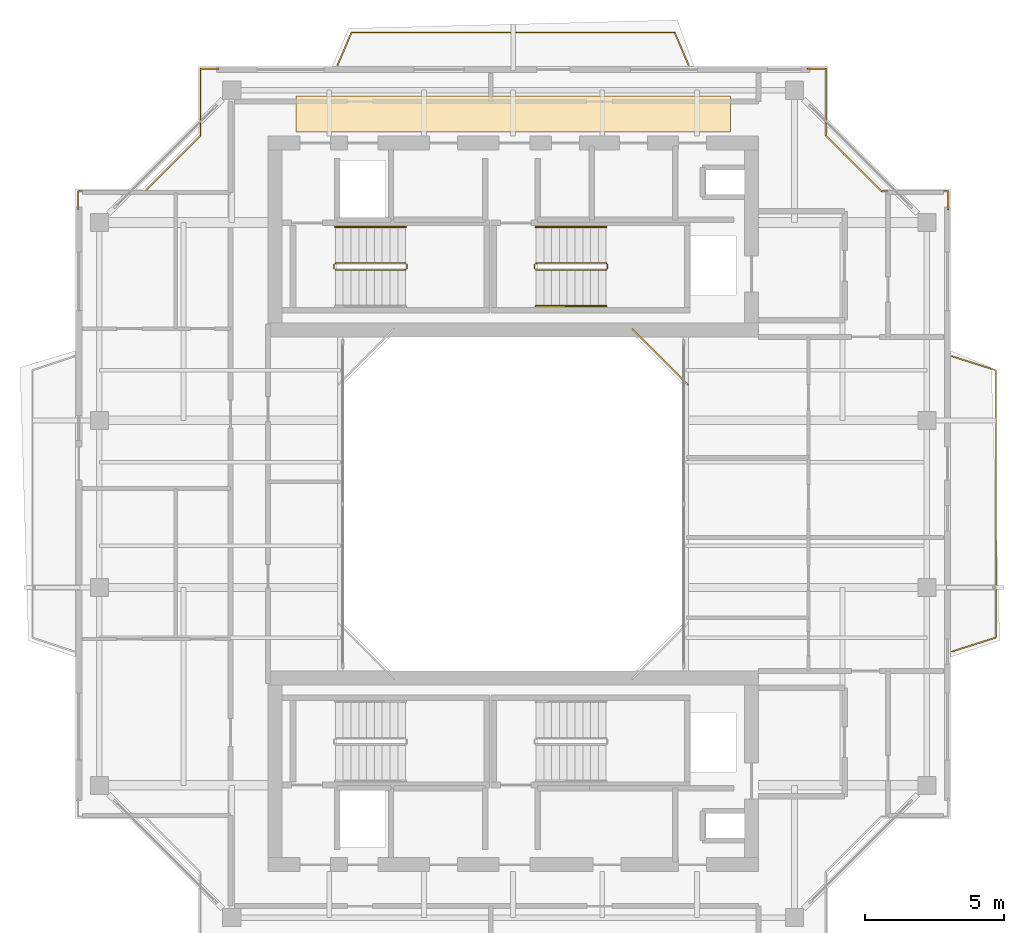
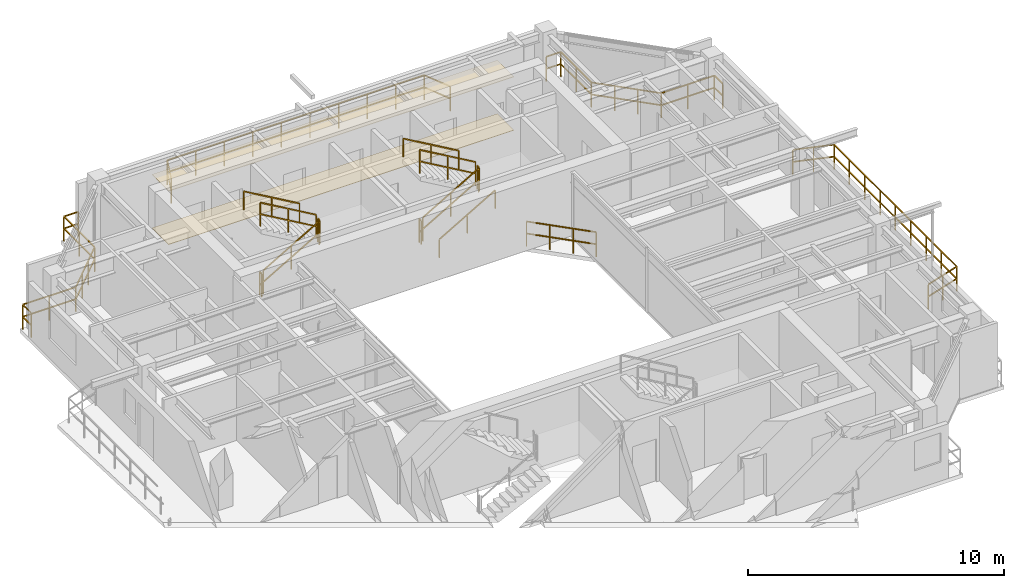
# One storey, part 14 of 14: 16 railings, 2 coverings.
"""IFC4 building model written with IfcOpenShell, lengths in metres."""

from ifc_helpers import new_model, si_unit, direction, frame, origin, origin_2d, place, context, subcontext, project, spatial, polyline, rectangle, outline, extrude, material, layer, layer_set, type_object, element, save


model = new_model("IFC4")

# Units and contexts
model_context = context("Model", 3, precision=1e-05, world=origin(), true_north=direction((0.0, 1.0)))
body_context = subcontext(model_context, "Body", "Model", "MODEL_VIEW")
ifc_project = project(units=[si_unit("LENGTHUNIT", "METRE"), si_unit("AREAUNIT", "SQUARE_METRE"), si_unit("VOLUMEUNIT", "CUBIC_METRE"), si_unit("PLANEANGLEUNIT", "RADIAN"), si_unit("MASSUNIT", "GRAM", prefix="KILO"), si_unit("THERMODYNAMICTEMPERATUREUNIT", "KELVIN"), si_unit("POWERUNIT", "WATT")], contexts=[model_context])

# Site, building, storey
site_placement = place(None, origin())
site = spatial("IfcSite", under=ifc_project, at=site_placement, CompositionType="ELEMENT")
building_placement = place(site_placement, origin())
building = spatial("IfcBuilding", under=site, at=building_placement, Name="Qiaomeng Ring Towers", CompositionType="ELEMENT")
storey_placement = place(building_placement, frame((0.0, 0.0, 247.0)))
storey = spatial("IfcBuildingStorey", under=building, at=storey_placement, Name="L72", CompositionType="ELEMENT", Elevation=247.0)

# Coverings
ifc_material_1 = material(Name="Mineral fibre acoustic ceiling tile", Category="gypsum")
ifc_layer_1 = layer(ifc_material_1, 0.02490234375, Name="Mineral fibre acoustic ceiling tile")
ifc_layer_set_1 = layer_set([ifc_layer_1], Name="Mineral fibre acoustic ceiling tile")
covering_type_1 = type_object("IfcCoveringType", Name="ARC-COV-CEIL1", PredefinedType="CEILING", material=ifc_layer_set_1)
covering_1_placement = place(storey_placement, frame((0.0, 0.0, 2.550048828125)))
element("IfcCovering", 1, at=covering_1_placement, inside=storey, type_object=covering_type_1, Name="L72 Corridor Acoustic Ceiling", PredefinedType="CEILING", context=body_context, shape_type="SweptSolid", body=[
    extrude(outline(polyline([(11.199951171875, 36.35009765625), (11.199951171875, 37.64990234375), (26.800048828125, 37.64990234375), (26.800048828125, 36.35009765625), (11.199951171875, 36.35009765625)])), origin(), (0.0, 0.0, 1.0), 0.02490234375),
])
ifc_material_2 = material(Name="Vitrified porcelain floor tile", Category="ceramic")
ifc_layer_2 = layer(ifc_material_2, 0.02001953125, Name="Vitrified porcelain floor tile")
ifc_layer_set_2 = layer_set([ifc_layer_2], Name="Vitrified porcelain floor tile")
covering_type_2 = type_object("IfcCoveringType", Name="ARC-COV-FLR1", PredefinedType="FLOORING", material=ifc_layer_set_2)
covering_2_placement = place(storey_placement, origin())
element("IfcCovering", 2, at=covering_2_placement, inside=storey, type_object=covering_type_2, Name="L72 Corridor Stone Flooring", PredefinedType="FLOORING", context=body_context, shape_type="SweptSolid", body=[
    extrude(outline(polyline([(11.199951171875, 36.35009765625), (11.199951171875, 37.64990234375), (26.800048828125, 37.64990234375), (26.800048828125, 36.35009765625), (11.199951171875, 36.35009765625)])), origin(), (0.0, 0.0, 1.0), 0.02001953125),
])

# Railings
ifc_material_3 = material(Name="Low-E pale-green laminated safety glass", Category="glass")
railing_type_1 = type_object("IfcRailingType", Name="ARC-RL-BAL1", PredefinedType="BALUSTRADE", material=ifc_material_3)
railing_1_placement = place(storey_placement, frame((25.280029296875, 27.280029296875, 0.0)))
element("IfcRailing", 3, at=railing_1_placement, inside=storey, type_object=railing_type_1, Name="L72 Balustrade ARC-BAL-WELL1-L72-2", PredefinedType="BALUSTRADE", context=body_context, shape_type="SweptSolid", body=[
    extrude(rectangle(XDim=0.048095703125, YDim=0.048095703125, at=origin_2d()), frame((0.0, 0.0, 1.17578125), z_axis=(-0.707106781187, 0.707106781187, 0.0), x_axis=(-0.707106781187, -0.707106781187, 0.0)), (0.0, 0.0, 1.0), 2.828369140625),
    extrude(rectangle(XDim=0.048095703125, YDim=0.048095703125, at=origin_2d()), frame((0.0, 0.0, 0.60009765625), z_axis=(-0.707106781187, 0.707106781187, 0.0), x_axis=(-0.707106781187, -0.707106781187, 0.0)), (0.0, 0.0, 1.0), 2.828369140625),
    extrude(rectangle(XDim=0.0419921875, YDim=0.0419921875, at=origin_2d()), origin(), (0.0, 0.0, 1.0), 1.15185546875),
    extrude(rectangle(XDim=0.0419921875, YDim=0.0419921875, at=origin_2d()), frame((-0.666748046875, 0.666748046875, 0.0)), (0.0, 0.0, 1.0), 1.15185546875),
    extrude(rectangle(XDim=0.0419921875, YDim=0.0419921875, at=origin_2d()), frame((-1.333251953125, 1.333251953125, 0.0)), (0.0, 0.0, 1.0), 1.15185546875),
    extrude(rectangle(XDim=0.0419921875, YDim=0.0419921875, at=origin_2d()), frame((-2.0, 2.0, 0.0)), (0.0, 0.0, 1.0), 1.15185546875),
])
railing_2_placement = place(storey_placement, frame((34.6201171875, 33.570068359375, 0.0)))
element("IfcRailing", 4, at=railing_2_placement, inside=storey, type_object=railing_type_1, Name="L72 Balustrade ARC-BAL-NOTCH1-L72-NE", PredefinedType="BALUSTRADE", context=body_context, shape_type="SweptSolid", body=[
    extrude(rectangle(XDim=0.048095703125, YDim=0.048095703125, at=origin_2d()), frame((0.0, 0.0, 1.17578125), z_axis=(0.0, 1.0, 0.0), x_axis=(-1.0, 0.0, 0.0)), (0.0, 0.0, 1.0), 0.64990234375),
    extrude(rectangle(XDim=0.048095703125, YDim=0.048095703125, at=origin_2d()), frame((0.0, 0.0, 0.60009765625), z_axis=(0.0, 1.0, 0.0), x_axis=(-1.0, 0.0, 0.0)), (0.0, 0.0, 1.0), 0.64990234375),
    extrude(rectangle(XDim=0.048095703125, YDim=0.048095703125, at=origin_2d()), frame((0.0, 0.64990234375, 1.17578125), z_axis=(-1.0, 0.0, 0.0), x_axis=(0.0, -1.0, 0.0)), (0.0, 0.0, 1.0), 2.400146484375),
    extrude(rectangle(XDim=0.048095703125, YDim=0.048095703125, at=origin_2d()), frame((0.0, 0.64990234375, 0.60009765625), z_axis=(-1.0, 0.0, 0.0), x_axis=(0.0, -1.0, 0.0)), (0.0, 0.0, 1.0), 2.400146484375),
    extrude(rectangle(XDim=0.048095703125, YDim=0.048095703125, at=origin_2d()), frame((-2.400146484375, 0.64990234375, 1.17578125), z_axis=(-0.707106781187, 0.707106781187, 0.0), x_axis=(-0.707106781187, -0.707106781187, 0.0)), (0.0, 0.0, 1.0), 2.828369140625),
    extrude(rectangle(XDim=0.048095703125, YDim=0.048095703125, at=origin_2d()), frame((-2.400146484375, 0.64990234375, 0.60009765625), z_axis=(-0.707106781187, 0.707106781187, 0.0), x_axis=(-0.707106781187, -0.707106781187, 0.0)), (0.0, 0.0, 1.0), 2.828369140625),
    extrude(rectangle(XDim=0.048095703125, YDim=0.048095703125, at=origin_2d()), frame((-4.400146484375, 2.64990234375, 1.17578125), z_axis=(0.0, 1.0, 0.0), x_axis=(-1.0, 0.0, 0.0)), (0.0, 0.0, 1.0), 2.400146484375),
    extrude(rectangle(XDim=0.048095703125, YDim=0.048095703125, at=origin_2d()), frame((-4.400146484375, 2.64990234375, 0.60009765625), z_axis=(0.0, 1.0, 0.0), x_axis=(-1.0, 0.0, 0.0)), (0.0, 0.0, 1.0), 2.400146484375),
    extrude(rectangle(XDim=0.048095703125, YDim=0.048095703125, at=origin_2d()), frame((-4.400146484375, 5.050048828125, 1.17578125), z_axis=(-1.0, 0.0, 0.0), x_axis=(0.0, -1.0, 0.0)), (0.0, 0.0, 1.0), 0.64990234375),
    extrude(rectangle(XDim=0.048095703125, YDim=0.048095703125, at=origin_2d()), frame((-4.400146484375, 5.050048828125, 0.60009765625), z_axis=(-1.0, 0.0, 0.0), x_axis=(0.0, -1.0, 0.0)), (0.0, 0.0, 1.0), 0.64990234375),
    extrude(rectangle(XDim=0.0419921875, YDim=0.0419921875, at=origin_2d()), origin(), (0.0, 0.0, 1.0), 1.15185546875),
    extrude(rectangle(XDim=0.0419921875, YDim=0.0419921875, at=origin_2d()), frame((0.0, 0.64990234375, 0.0)), (0.0, 0.0, 1.0), 1.15185546875),
    extrude(rectangle(XDim=0.0419921875, YDim=0.0419921875, at=origin_2d()), frame((-1.2001953125, 0.64990234375, 0.0)), (0.0, 0.0, 1.0), 1.15185546875),
    extrude(rectangle(XDim=0.0419921875, YDim=0.0419921875, at=origin_2d()), frame((-2.400146484375, 0.64990234375, 0.0)), (0.0, 0.0, 1.0), 1.15185546875),
    extrude(rectangle(XDim=0.0419921875, YDim=0.0419921875, at=origin_2d()), frame((-3.06689453125, 1.316650390625, 0.0)), (0.0, 0.0, 1.0), 1.15185546875),
    extrude(rectangle(XDim=0.0419921875, YDim=0.0419921875, at=origin_2d()), frame((-3.7333984375, 1.983154296875, 0.0)), (0.0, 0.0, 1.0), 1.15185546875),
    extrude(rectangle(XDim=0.0419921875, YDim=0.0419921875, at=origin_2d()), frame((-4.400146484375, 2.64990234375, 0.0)), (0.0, 0.0, 1.0), 1.15185546875),
    extrude(rectangle(XDim=0.0419921875, YDim=0.0419921875, at=origin_2d()), frame((-4.400146484375, 3.85009765625, 0.0)), (0.0, 0.0, 1.0), 1.15185546875),
    extrude(rectangle(XDim=0.0419921875, YDim=0.0419921875, at=origin_2d()), frame((-4.400146484375, 5.050048828125, 0.0)), (0.0, 0.0, 1.0), 1.15185546875),
    extrude(rectangle(XDim=0.0419921875, YDim=0.0419921875, at=origin_2d()), frame((-5.050048828125, 5.050048828125, 0.0)), (0.0, 0.0, 1.0), 1.15185546875),
])
railing_3_placement = place(storey_placement, frame((8.429931640625, 38.6201171875, 0.0)))
element("IfcRailing", 5, at=railing_3_placement, inside=storey, type_object=railing_type_1, Name="L72 Balustrade ARC-BAL-NOTCH1-L72-NW", PredefinedType="BALUSTRADE", context=body_context, shape_type="SweptSolid", body=[
    extrude(rectangle(XDim=0.048095703125, YDim=0.048095703125, at=origin_2d()), frame((0.0, 0.0, 1.17578125), z_axis=(-1.0, 0.0, 0.0), x_axis=(0.0, -1.0, 0.0)), (0.0, 0.0, 1.0), 0.64990234375),
    extrude(rectangle(XDim=0.048095703125, YDim=0.048095703125, at=origin_2d()), frame((0.0, 0.0, 0.60009765625), z_axis=(-1.0, 0.0, 0.0), x_axis=(0.0, -1.0, 0.0)), (0.0, 0.0, 1.0), 0.64990234375),
    extrude(rectangle(XDim=0.048095703125, YDim=0.048095703125, at=origin_2d()), frame((-0.64990234375, 0.0, 1.17578125), z_axis=(0.0, -1.0, 0.0), x_axis=(1.0, 0.0, 0.0)), (0.0, 0.0, 1.0), 2.400146484375),
    extrude(rectangle(XDim=0.048095703125, YDim=0.048095703125, at=origin_2d()), frame((-0.64990234375, 0.0, 0.60009765625), z_axis=(0.0, -1.0, 0.0), x_axis=(1.0, 0.0, 0.0)), (0.0, 0.0, 1.0), 2.400146484375),
    extrude(rectangle(XDim=0.048095703125, YDim=0.048095703125, at=origin_2d()), frame((-0.64990234375, -2.400146484375, 1.17578125), z_axis=(-0.707106781187, -0.707106781187, 0.0), x_axis=(0.707106781187, -0.707106781187, 0.0)), (0.0, 0.0, 1.0), 2.828369140625),
    extrude(rectangle(XDim=0.048095703125, YDim=0.048095703125, at=origin_2d()), frame((-0.64990234375, -2.400146484375, 0.60009765625), z_axis=(-0.707106781187, -0.707106781187, 0.0), x_axis=(0.707106781187, -0.707106781187, 0.0)), (0.0, 0.0, 1.0), 2.828369140625),
    extrude(rectangle(XDim=0.048095703125, YDim=0.048095703125, at=origin_2d()), frame((-2.64990234375, -4.400146484375, 1.17578125), z_axis=(-1.0, 0.0, 0.0), x_axis=(0.0, -1.0, 0.0)), (0.0, 0.0, 1.0), 2.400146484375),
    extrude(rectangle(XDim=0.048095703125, YDim=0.048095703125, at=origin_2d()), frame((-2.64990234375, -4.400146484375, 0.60009765625), z_axis=(-1.0, 0.0, 0.0), x_axis=(0.0, -1.0, 0.0)), (0.0, 0.0, 1.0), 2.400146484375),
    extrude(rectangle(XDim=0.048095703125, YDim=0.048095703125, at=origin_2d()), frame((-5.050048828125, -4.400146484375, 1.17578125), z_axis=(0.0, -1.0, 0.0), x_axis=(1.0, 0.0, 0.0)), (0.0, 0.0, 1.0), 0.64990234375),
    extrude(rectangle(XDim=0.048095703125, YDim=0.048095703125, at=origin_2d()), frame((-5.050048828125, -4.400146484375, 0.60009765625), z_axis=(0.0, -1.0, 0.0), x_axis=(1.0, 0.0, 0.0)), (0.0, 0.0, 1.0), 0.64990234375),
    extrude(rectangle(XDim=0.0419921875, YDim=0.0419921875, at=origin_2d()), origin(), (0.0, 0.0, 1.0), 1.15185546875),
    extrude(rectangle(XDim=0.0419921875, YDim=0.0419921875, at=origin_2d()), frame((-0.64990234375, 0.0, 0.0)), (0.0, 0.0, 1.0), 1.15185546875),
    extrude(rectangle(XDim=0.0419921875, YDim=0.0419921875, at=origin_2d()), frame((-0.64990234375, -1.2001953125, 0.0)), (0.0, 0.0, 1.0), 1.15185546875),
    extrude(rectangle(XDim=0.0419921875, YDim=0.0419921875, at=origin_2d()), frame((-0.64990234375, -2.400146484375, 0.0)), (0.0, 0.0, 1.0), 1.15185546875),
    extrude(rectangle(XDim=0.0419921875, YDim=0.0419921875, at=origin_2d()), frame((-1.316650390625, -3.06689453125, 0.0)), (0.0, 0.0, 1.0), 1.15185546875),
    extrude(rectangle(XDim=0.0419921875, YDim=0.0419921875, at=origin_2d()), frame((-1.983154296875, -3.7333984375, 0.0)), (0.0, 0.0, 1.0), 1.15185546875),
    extrude(rectangle(XDim=0.0419921875, YDim=0.0419921875, at=origin_2d()), frame((-2.64990234375, -4.400146484375, 0.0)), (0.0, 0.0, 1.0), 1.15185546875),
    extrude(rectangle(XDim=0.0419921875, YDim=0.0419921875, at=origin_2d()), frame((-3.85009765625, -4.400146484375, 0.0)), (0.0, 0.0, 1.0), 1.15185546875),
    extrude(rectangle(XDim=0.0419921875, YDim=0.0419921875, at=origin_2d()), frame((-5.050048828125, -4.400146484375, 0.0)), (0.0, 0.0, 1.0), 1.15185546875),
    extrude(rectangle(XDim=0.0419921875, YDim=0.0419921875, at=origin_2d()), frame((-5.050048828125, -5.050048828125, 0.0)), (0.0, 0.0, 1.0), 1.15185546875),
])
railing_4_placement = place(storey_placement, frame((34.75, 17.699951171875, 0.0)))
element("IfcRailing", 6, at=railing_4_placement, inside=storey, type_object=railing_type_1, Name="L72 Balustrade ARC-BAL-L72-T1-E", PredefinedType="BALUSTRADE", context=body_context, shape_type="SweptSolid", body=[
    extrude(rectangle(XDim=0.048095703125, YDim=0.048095703125, at=origin_2d()), frame((0.0, 0.0, 1.17578125), z_axis=(0.952849860715, 0.303442157479, 0.0), x_axis=(-0.303442157479, 0.952849860715, 0.0)), (0.0, 0.0, 1.0), 1.647705078125),
    extrude(rectangle(XDim=0.048095703125, YDim=0.048095703125, at=origin_2d()), frame((0.0, 0.0, 0.60009765625), z_axis=(0.952849860715, 0.303442157479, 0.0), x_axis=(-0.303442157479, 0.952849860715, 0.0)), (0.0, 0.0, 1.0), 1.647705078125),
    extrude(rectangle(XDim=0.048095703125, YDim=0.048095703125, at=origin_2d()), frame((1.570068359375, 0.5, 1.17578125), z_axis=(0.0, 1.0, 0.0), x_axis=(-1.0, 0.0, 0.0)), (0.0, 0.0, 1.0), 9.60009765625),
    extrude(rectangle(XDim=0.048095703125, YDim=0.048095703125, at=origin_2d()), frame((1.570068359375, 0.5, 0.60009765625), z_axis=(0.0, 1.0, 0.0), x_axis=(-1.0, 0.0, 0.0)), (0.0, 0.0, 1.0), 9.60009765625),
    extrude(rectangle(XDim=0.048095703125, YDim=0.048095703125, at=origin_2d()), frame((1.570068359375, 10.10009765625, 1.17578125), z_axis=(-0.952849860715, 0.303442157479, 0.0), x_axis=(-0.303442157479, -0.952849860715, 0.0)), (0.0, 0.0, 1.0), 1.647705078125),
    extrude(rectangle(XDim=0.048095703125, YDim=0.048095703125, at=origin_2d()), frame((1.570068359375, 10.10009765625, 0.60009765625), z_axis=(-0.952849860715, 0.303442157479, 0.0), x_axis=(-0.303442157479, -0.952849860715, 0.0)), (0.0, 0.0, 1.0), 1.647705078125),
    extrude(rectangle(XDim=0.0419921875, YDim=0.0419921875, at=origin_2d()), origin(), (0.0, 0.0, 1.0), 1.15185546875),
    extrude(rectangle(XDim=0.0419921875, YDim=0.0419921875, at=origin_2d()), frame((0.78515625, 0.25, 0.0)), (0.0, 0.0, 1.0), 1.15185546875),
    extrude(rectangle(XDim=0.0419921875, YDim=0.0419921875, at=origin_2d()), frame((1.570068359375, 0.5, 0.0)), (0.0, 0.0, 1.0), 1.15185546875),
    extrude(rectangle(XDim=0.0419921875, YDim=0.0419921875, at=origin_2d()), frame((1.570068359375, 1.699951171875, 0.0)), (0.0, 0.0, 1.0), 1.15185546875),
    extrude(rectangle(XDim=0.0419921875, YDim=0.0419921875, at=origin_2d()), frame((1.570068359375, 2.89990234375, 0.0)), (0.0, 0.0, 1.0), 1.15185546875),
    extrude(rectangle(XDim=0.0419921875, YDim=0.0419921875, at=origin_2d()), frame((1.570068359375, 4.10009765625, 0.0)), (0.0, 0.0, 1.0), 1.15185546875),
    extrude(rectangle(XDim=0.0419921875, YDim=0.0419921875, at=origin_2d()), frame((1.570068359375, 5.300048828125, 0.0)), (0.0, 0.0, 1.0), 1.15185546875),
    extrude(rectangle(XDim=0.0419921875, YDim=0.0419921875, at=origin_2d()), frame((1.570068359375, 6.5, 0.0)), (0.0, 0.0, 1.0), 1.15185546875),
    extrude(rectangle(XDim=0.0419921875, YDim=0.0419921875, at=origin_2d()), frame((1.570068359375, 7.7001953125, 0.0)), (0.0, 0.0, 1.0), 1.15185546875),
    extrude(rectangle(XDim=0.0419921875, YDim=0.0419921875, at=origin_2d()), frame((1.570068359375, 8.900146484375, 0.0)), (0.0, 0.0, 1.0), 1.15185546875),
    extrude(rectangle(XDim=0.0419921875, YDim=0.0419921875, at=origin_2d()), frame((1.570068359375, 10.10009765625, 0.0)), (0.0, 0.0, 1.0), 1.15185546875),
    extrude(rectangle(XDim=0.0419921875, YDim=0.0419921875, at=origin_2d()), frame((0.78515625, 10.35009765625, 0.0)), (0.0, 0.0, 1.0), 1.15185546875),
    extrude(rectangle(XDim=0.0419921875, YDim=0.0419921875, at=origin_2d()), frame((0.0, 10.60009765625, 0.0)), (0.0, 0.0, 1.0), 1.15185546875),
])
railing_5_placement = place(storey_placement, frame((12.699951171875, 38.75, 0.0)))
element("IfcRailing", 7, at=railing_5_placement, inside=storey, type_object=railing_type_1, Name="L72 Balustrade ARC-BAL-L72-T1-N", PredefinedType="BALUSTRADE", context=body_context, shape_type="SweptSolid", body=[
    extrude(rectangle(XDim=0.048095703125, YDim=0.048095703125, at=origin_2d()), frame((0.0, 0.0, 1.17578125), z_axis=(0.39299272826, 0.919541579014, 0.0), x_axis=(-0.919541579014, 0.39299272826, 0.0)), (0.0, 0.0, 1.0), 1.272216796875),
    extrude(rectangle(XDim=0.048095703125, YDim=0.048095703125, at=origin_2d()), frame((0.0, 0.0, 0.60009765625), z_axis=(0.39299272826, 0.919541579014, 0.0), x_axis=(-0.919541579014, 0.39299272826, 0.0)), (0.0, 0.0, 1.0), 1.272216796875),
    extrude(rectangle(XDim=0.048095703125, YDim=0.048095703125, at=origin_2d()), frame((0.5, 1.169921875, 1.17578125), z_axis=(1.0, 0.0, 0.0), x_axis=(0.0, 1.0, 0.0)), (0.0, 0.0, 1.0), 11.60009765625),
    extrude(rectangle(XDim=0.048095703125, YDim=0.048095703125, at=origin_2d()), frame((0.5, 1.169921875, 0.60009765625), z_axis=(1.0, 0.0, 0.0), x_axis=(0.0, 1.0, 0.0)), (0.0, 0.0, 1.0), 11.60009765625),
    extrude(rectangle(XDim=0.048095703125, YDim=0.048095703125, at=origin_2d()), frame((12.10009765625, 1.169921875, 1.17578125), z_axis=(0.39299272826, -0.919541579014, 0.0), x_axis=(0.919541579014, 0.39299272826, 0.0)), (0.0, 0.0, 1.0), 1.272216796875),
    extrude(rectangle(XDim=0.048095703125, YDim=0.048095703125, at=origin_2d()), frame((12.10009765625, 1.169921875, 0.60009765625), z_axis=(0.39299272826, -0.919541579014, 0.0), x_axis=(0.919541579014, 0.39299272826, 0.0)), (0.0, 0.0, 1.0), 1.272216796875),
    extrude(rectangle(XDim=0.0419921875, YDim=0.0419921875, at=origin_2d()), origin(), (0.0, 0.0, 1.0), 1.15185546875),
    extrude(rectangle(XDim=0.0419921875, YDim=0.0419921875, at=origin_2d()), frame((0.5, 1.169921875, 0.0)), (0.0, 0.0, 1.0), 1.15185546875),
    extrude(rectangle(XDim=0.0419921875, YDim=0.0419921875, at=origin_2d()), frame((1.788818359375, 1.169921875, 0.0)), (0.0, 0.0, 1.0), 1.15185546875),
    extrude(rectangle(XDim=0.0419921875, YDim=0.0419921875, at=origin_2d()), frame((3.077880859375, 1.169921875, 0.0)), (0.0, 0.0, 1.0), 1.15185546875),
    extrude(rectangle(XDim=0.0419921875, YDim=0.0419921875, at=origin_2d()), frame((4.36669921875, 1.169921875, 0.0)), (0.0, 0.0, 1.0), 1.15185546875),
    extrude(rectangle(XDim=0.0419921875, YDim=0.0419921875, at=origin_2d()), frame((5.655517578125, 1.169921875, 0.0)), (0.0, 0.0, 1.0), 1.15185546875),
    extrude(rectangle(XDim=0.0419921875, YDim=0.0419921875, at=origin_2d()), frame((6.944580078125, 1.169921875, 0.0)), (0.0, 0.0, 1.0), 1.15185546875),
    extrude(rectangle(XDim=0.0419921875, YDim=0.0419921875, at=origin_2d()), frame((8.2333984375, 1.169921875, 0.0)), (0.0, 0.0, 1.0), 1.15185546875),
    extrude(rectangle(XDim=0.0419921875, YDim=0.0419921875, at=origin_2d()), frame((9.522216796875, 1.169921875, 0.0)), (0.0, 0.0, 1.0), 1.15185546875),
    extrude(rectangle(XDim=0.0419921875, YDim=0.0419921875, at=origin_2d()), frame((10.811279296875, 1.169921875, 0.0)), (0.0, 0.0, 1.0), 1.15185546875),
    extrude(rectangle(XDim=0.0419921875, YDim=0.0419921875, at=origin_2d()), frame((12.10009765625, 1.169921875, 0.0)), (0.0, 0.0, 1.0), 1.15185546875),
    extrude(rectangle(XDim=0.0419921875, YDim=0.0419921875, at=origin_2d()), frame((12.60009765625, 0.0, 0.0)), (0.0, 0.0, 1.0), 1.15185546875),
])
ifc_material_4 = material(Name="Galvanised steel", Category="steel")
railing_type_2 = type_object("IfcRailingType", Name="ARC-RL-GUARD", PredefinedType="GUARDRAIL", material=ifc_material_4)
railing_6_placement = place(storey_placement, frame((12.6201171875, 31.39990234375, 0.16259765625)))
element("IfcRailing", 8, at=railing_6_placement, inside=storey, type_object=railing_type_2, Name="L72 ST1 stair guard 1", PredefinedType="GUARDRAIL", context=body_context, shape_type="SweptSolid", body=[
    extrude(rectangle(XDim=0.048095703125, YDim=0.048095703125, at=origin_2d()), frame((0.0, 0.0, 1.1259765625), z_axis=(0.864892226395, 0.0, 0.501957604506), x_axis=(0.0, 1.0, 0.0)), (0.0, 0.0, 1.0), 2.913330078125),
    extrude(rectangle(XDim=0.048095703125, YDim=0.048095703125, at=origin_2d()), frame((0.0, 0.0, 0.574951171875), z_axis=(0.864892226395, 0.0, 0.501957604506), x_axis=(0.0, 1.0, 0.0)), (0.0, 0.0, 1.0), 2.913330078125),
    extrude(rectangle(XDim=0.0419921875, YDim=0.0419921875, at=origin_2d()), origin(), (0.0, 0.0, 1.0), 1.101806640625),
    extrude(rectangle(XDim=0.0419921875, YDim=0.0419921875, at=origin_2d()), frame((1.259765625, 0.0, 0.731201171875)), (0.0, 0.0, 1.0), 1.101806640625),
    extrude(rectangle(XDim=0.0419921875, YDim=0.0419921875, at=origin_2d()), frame((2.519775390625, 0.0, 1.46240234375)), (0.0, 0.0, 1.0), 1.101806640625),
])
railing_7_placement = place(storey_placement, frame((15.18994140625, 31.449951171875, 1.625)))
element("IfcRailing", 9, at=railing_7_placement, inside=storey, type_object=railing_type_2, Name="L72 ST1 stair guard 2", PredefinedType="GUARDRAIL", context=body_context, shape_type="SweptSolid", body=[
    extrude(rectangle(XDim=0.048095703125, YDim=0.048095703125, at=origin_2d()), frame((0.0, 0.0, 1.1259765625), z_axis=(0.0, 1.0, 0.0), x_axis=(-1.0, 0.0, 0.0)), (0.0, 0.0, 1.0), 0.14013671875),
    extrude(rectangle(XDim=0.048095703125, YDim=0.048095703125, at=origin_2d()), frame((0.0, 0.0, 0.574951171875), z_axis=(0.0, 1.0, 0.0), x_axis=(-1.0, 0.0, 0.0)), (0.0, 0.0, 1.0), 0.14013671875),
    extrude(rectangle(XDim=0.0419921875, YDim=0.0419921875, at=origin_2d()), origin(), (0.0, 0.0, 1.0), 1.101806640625),
    extrude(rectangle(XDim=0.0419921875, YDim=0.0419921875, at=origin_2d()), frame((0.0, 0.14013671875, 0.0)), (0.0, 0.0, 1.0), 1.101806640625),
])
railing_8_placement = place(storey_placement, frame((15.139892578125, 31.639892578125, 1.78759765625)))
element("IfcRailing", 10, at=railing_8_placement, inside=storey, type_object=railing_type_2, Name="L72 ST1 stair guard 3", PredefinedType="GUARDRAIL", context=body_context, shape_type="SweptSolid", body=[
    extrude(rectangle(XDim=0.048095703125, YDim=0.048095703125, at=origin_2d()), frame((0.0, 0.0, 1.1259765625), z_axis=(-0.864892226395, 0.0, 0.501957604506), x_axis=(0.0, -1.0, 0.0)), (0.0, 0.0, 1.0), 2.913330078125),
    extrude(rectangle(XDim=0.048095703125, YDim=0.048095703125, at=origin_2d()), frame((0.0, 0.0, 0.574951171875), z_axis=(-0.864892226395, 0.0, 0.501957604506), x_axis=(0.0, -1.0, 0.0)), (0.0, 0.0, 1.0), 2.913330078125),
    extrude(rectangle(XDim=0.0419921875, YDim=0.0419921875, at=origin_2d()), origin(), (0.0, 0.0, 1.0), 1.101806640625),
    extrude(rectangle(XDim=0.0419921875, YDim=0.0419921875, at=origin_2d()), frame((-1.259765625, 0.0, 0.731201171875)), (0.0, 0.0, 1.0), 1.101806640625),
    extrude(rectangle(XDim=0.0419921875, YDim=0.0419921875, at=origin_2d()), frame((-2.519775390625, 0.0, 1.46240234375)), (0.0, 0.0, 1.0), 1.101806640625),
])
railing_9_placement = place(storey_placement, frame((12.570068359375, 31.449951171875, 0.0)))
element("IfcRailing", 11, at=railing_9_placement, inside=storey, type_object=railing_type_2, Name="L72 ST1 stair guard 4", PredefinedType="GUARDRAIL", context=body_context, shape_type="SweptSolid", body=[
    extrude(rectangle(XDim=0.048095703125, YDim=0.048095703125, at=origin_2d()), frame((0.0, 0.0, 1.1259765625), z_axis=(0.0, 1.0, 0.0), x_axis=(-1.0, 0.0, 0.0)), (0.0, 0.0, 1.0), 0.14013671875),
    extrude(rectangle(XDim=0.048095703125, YDim=0.048095703125, at=origin_2d()), frame((0.0, 0.0, 0.574951171875), z_axis=(0.0, 1.0, 0.0), x_axis=(-1.0, 0.0, 0.0)), (0.0, 0.0, 1.0), 0.14013671875),
    extrude(rectangle(XDim=0.0419921875, YDim=0.0419921875, at=origin_2d()), origin(), (0.0, 0.0, 1.0), 1.101806640625),
    extrude(rectangle(XDim=0.0419921875, YDim=0.0419921875, at=origin_2d()), frame((0.0, 0.14013671875, 0.0)), (0.0, 0.0, 1.0), 1.101806640625),
])
railing_10_placement = place(storey_placement, frame((19.820068359375, 31.39990234375, 0.16259765625)))
element("IfcRailing", 12, at=railing_10_placement, inside=storey, type_object=railing_type_2, Name="L72 ST2 stair guard 1", PredefinedType="GUARDRAIL", context=body_context, shape_type="SweptSolid", body=[
    extrude(rectangle(XDim=0.048095703125, YDim=0.048095703125, at=origin_2d()), frame((0.0, 0.0, 1.1259765625), z_axis=(0.864913338283, 0.0, 0.50192122615), x_axis=(0.0, 1.0, 0.0)), (0.0, 0.0, 1.0), 2.91357421875),
    extrude(rectangle(XDim=0.048095703125, YDim=0.048095703125, at=origin_2d()), frame((0.0, 0.0, 0.574951171875), z_axis=(0.864913338283, 0.0, 0.50192122615), x_axis=(0.0, 1.0, 0.0)), (0.0, 0.0, 1.0), 2.91357421875),
    extrude(rectangle(XDim=0.0419921875, YDim=0.0419921875, at=origin_2d()), origin(), (0.0, 0.0, 1.0), 1.101806640625),
    extrude(rectangle(XDim=0.0419921875, YDim=0.0419921875, at=origin_2d()), frame((1.260009765625, 0.0, 0.731201171875)), (0.0, 0.0, 1.0), 1.101806640625),
    extrude(rectangle(XDim=0.0419921875, YDim=0.0419921875, at=origin_2d()), frame((2.52001953125, 0.0, 1.46240234375)), (0.0, 0.0, 1.0), 1.101806640625),
])
railing_11_placement = place(storey_placement, frame((22.389892578125, 31.449951171875, 1.625)))
element("IfcRailing", 13, at=railing_11_placement, inside=storey, type_object=railing_type_2, Name="L72 ST2 stair guard 2", PredefinedType="GUARDRAIL", context=body_context, shape_type="SweptSolid", body=[
    extrude(rectangle(XDim=0.048095703125, YDim=0.048095703125, at=origin_2d()), frame((0.0, 0.0, 1.1259765625), z_axis=(0.0, 1.0, 0.0), x_axis=(-1.0, 0.0, 0.0)), (0.0, 0.0, 1.0), 0.14013671875),
    extrude(rectangle(XDim=0.048095703125, YDim=0.048095703125, at=origin_2d()), frame((0.0, 0.0, 0.574951171875), z_axis=(0.0, 1.0, 0.0), x_axis=(-1.0, 0.0, 0.0)), (0.0, 0.0, 1.0), 0.14013671875),
    extrude(rectangle(XDim=0.0419921875, YDim=0.0419921875, at=origin_2d()), origin(), (0.0, 0.0, 1.0), 1.101806640625),
    extrude(rectangle(XDim=0.0419921875, YDim=0.0419921875, at=origin_2d()), frame((0.0, 0.14013671875, 0.0)), (0.0, 0.0, 1.0), 1.101806640625),
])
railing_12_placement = place(storey_placement, frame((22.340087890625, 31.639892578125, 1.78759765625)))
element("IfcRailing", 14, at=railing_12_placement, inside=storey, type_object=railing_type_2, Name="L72 ST2 stair guard 3", PredefinedType="GUARDRAIL", context=body_context, shape_type="SweptSolid", body=[
    extrude(rectangle(XDim=0.048095703125, YDim=0.048095703125, at=origin_2d()), frame((0.0, 0.0, 1.1259765625), z_axis=(-0.864913338283, 0.0, 0.50192122615), x_axis=(0.0, -1.0, 0.0)), (0.0, 0.0, 1.0), 2.91357421875),
    extrude(rectangle(XDim=0.048095703125, YDim=0.048095703125, at=origin_2d()), frame((0.0, 0.0, 0.574951171875), z_axis=(-0.864913338283, 0.0, 0.50192122615), x_axis=(0.0, -1.0, 0.0)), (0.0, 0.0, 1.0), 2.91357421875),
    extrude(rectangle(XDim=0.0419921875, YDim=0.0419921875, at=origin_2d()), origin(), (0.0, 0.0, 1.0), 1.101806640625),
    extrude(rectangle(XDim=0.0419921875, YDim=0.0419921875, at=origin_2d()), frame((-1.260009765625, 0.0, 0.731201171875)), (0.0, 0.0, 1.0), 1.101806640625),
    extrude(rectangle(XDim=0.0419921875, YDim=0.0419921875, at=origin_2d()), frame((-2.52001953125, 0.0, 1.46240234375)), (0.0, 0.0, 1.0), 1.101806640625),
])
railing_13_placement = place(storey_placement, frame((19.77001953125, 31.449951171875, 0.0)))
element("IfcRailing", 15, at=railing_13_placement, inside=storey, type_object=railing_type_2, Name="L72 ST2 stair guard 4", PredefinedType="GUARDRAIL", context=body_context, shape_type="SweptSolid", body=[
    extrude(rectangle(XDim=0.048095703125, YDim=0.048095703125, at=origin_2d()), frame((0.0, 0.0, 1.1259765625), z_axis=(0.0, 1.0, 0.0), x_axis=(-1.0, 0.0, 0.0)), (0.0, 0.0, 1.0), 0.14013671875),
    extrude(rectangle(XDim=0.048095703125, YDim=0.048095703125, at=origin_2d()), frame((0.0, 0.0, 0.574951171875), z_axis=(0.0, 1.0, 0.0), x_axis=(-1.0, 0.0, 0.0)), (0.0, 0.0, 1.0), 0.14013671875),
    extrude(rectangle(XDim=0.0419921875, YDim=0.0419921875, at=origin_2d()), origin(), (0.0, 0.0, 1.0), 1.101806640625),
    extrude(rectangle(XDim=0.0419921875, YDim=0.0419921875, at=origin_2d()), frame((0.0, 0.14013671875, 0.0)), (0.0, 0.0, 1.0), 1.101806640625),
])
ifc_material_5 = material(Name="Stainless steel 316", Category="steel")
railing_type_3 = type_object("IfcRailingType", Name="ARC-RL-HAND", PredefinedType="HANDRAIL", material=ifc_material_5)
railing_14_placement = place(storey_placement, frame((15.139892578125, 32.93994140625, 1.78759765625)))
element("IfcRailing", 16, at=railing_14_placement, inside=storey, type_object=railing_type_3, Name="L72 ST1 stair handrail 2", PredefinedType="HANDRAIL", context=body_context, shape_type="SweptSolid", body=[
    extrude(rectangle(XDim=0.048095703125, YDim=0.048095703125, at=origin_2d()), frame((0.0, 0.0, 0.8759765625), z_axis=(-0.864892226395, 0.0, 0.501957604506), x_axis=(0.0, -1.0, 0.0)), (0.0, 0.0, 1.0), 2.913330078125),
    extrude(rectangle(XDim=0.0419921875, YDim=0.0419921875, at=origin_2d()), origin(), (0.0, 0.0, 1.0), 0.851806640625),
    extrude(rectangle(XDim=0.0419921875, YDim=0.0419921875, at=origin_2d()), frame((-1.259765625, 0.0, 0.731201171875)), (0.0, 0.0, 1.0), 0.851806640625),
    extrude(rectangle(XDim=0.0419921875, YDim=0.0419921875, at=origin_2d()), frame((-2.519775390625, 0.0, 1.46240234375)), (0.0, 0.0, 1.0), 0.851806640625),
])
railing_15_placement = place(storey_placement, frame((19.820068359375, 30.10009765625, 0.16259765625)))
element("IfcRailing", 17, at=railing_15_placement, inside=storey, type_object=railing_type_3, Name="L72 ST2 stair handrail 1", PredefinedType="HANDRAIL", context=body_context, shape_type="SweptSolid", body=[
    extrude(rectangle(XDim=0.048095703125, YDim=0.048095703125, at=origin_2d()), frame((0.0, 0.0, 0.8759765625), z_axis=(0.864913338283, 0.0, 0.50192122615), x_axis=(0.0, 1.0, 0.0)), (0.0, 0.0, 1.0), 2.91357421875),
    extrude(rectangle(XDim=0.0419921875, YDim=0.0419921875, at=origin_2d()), origin(), (0.0, 0.0, 1.0), 0.851806640625),
    extrude(rectangle(XDim=0.0419921875, YDim=0.0419921875, at=origin_2d()), frame((1.260009765625, 0.0, 0.731201171875)), (0.0, 0.0, 1.0), 0.851806640625),
    extrude(rectangle(XDim=0.0419921875, YDim=0.0419921875, at=origin_2d()), frame((2.52001953125, 0.0, 1.46240234375)), (0.0, 0.0, 1.0), 0.851806640625),
])
railing_16_placement = place(storey_placement, frame((22.340087890625, 32.93994140625, 1.78759765625)))
element("IfcRailing", 18, at=railing_16_placement, inside=storey, type_object=railing_type_3, Name="L72 ST2 stair handrail 2", PredefinedType="HANDRAIL", context=body_context, shape_type="SweptSolid", body=[
    extrude(rectangle(XDim=0.048095703125, YDim=0.048095703125, at=origin_2d()), frame((0.0, 0.0, 0.8759765625), z_axis=(-0.864913338283, 0.0, 0.50192122615), x_axis=(0.0, -1.0, 0.0)), (0.0, 0.0, 1.0), 2.91357421875),
    extrude(rectangle(XDim=0.0419921875, YDim=0.0419921875, at=origin_2d()), origin(), (0.0, 0.0, 1.0), 0.851806640625),
    extrude(rectangle(XDim=0.0419921875, YDim=0.0419921875, at=origin_2d()), frame((-1.260009765625, 0.0, 0.731201171875)), (0.0, 0.0, 1.0), 0.851806640625),
    extrude(rectangle(XDim=0.0419921875, YDim=0.0419921875, at=origin_2d()), frame((-2.52001953125, 0.0, 1.46240234375)), (0.0, 0.0, 1.0), 0.851806640625),
])

save(model, "model.ifc")
